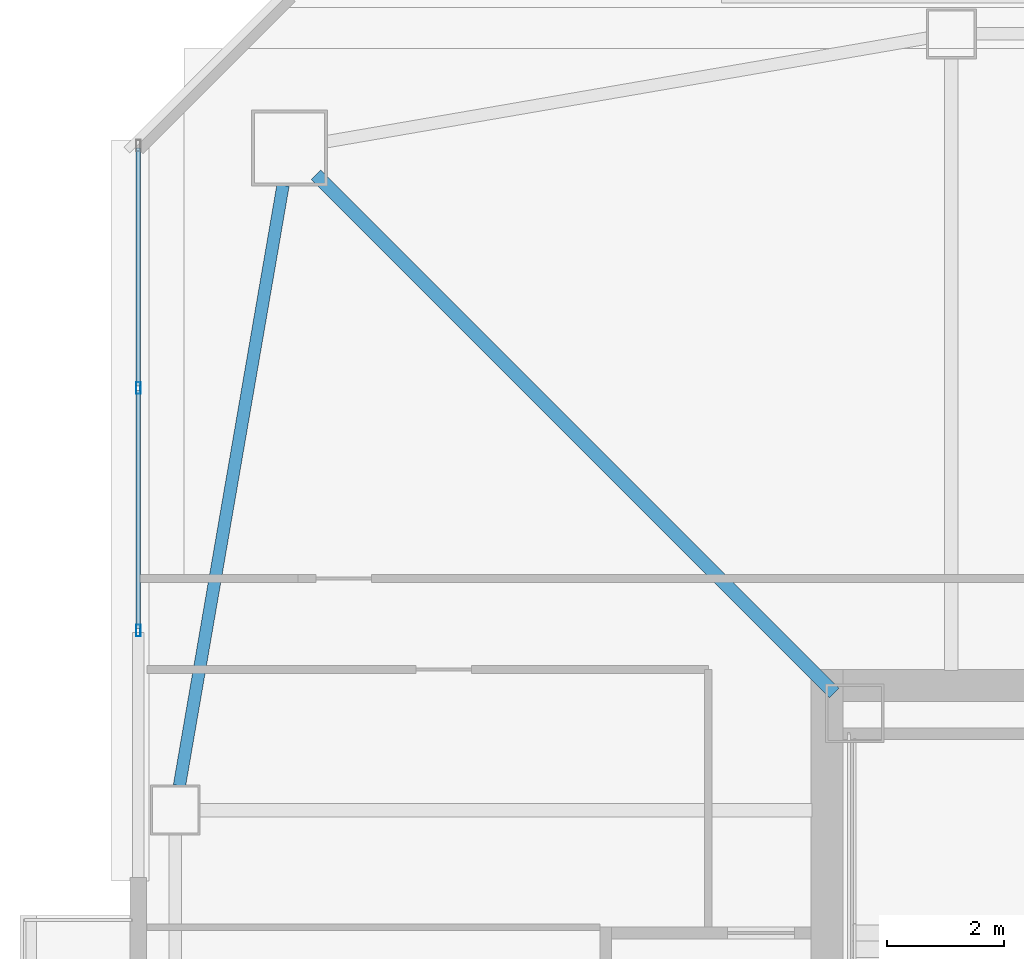
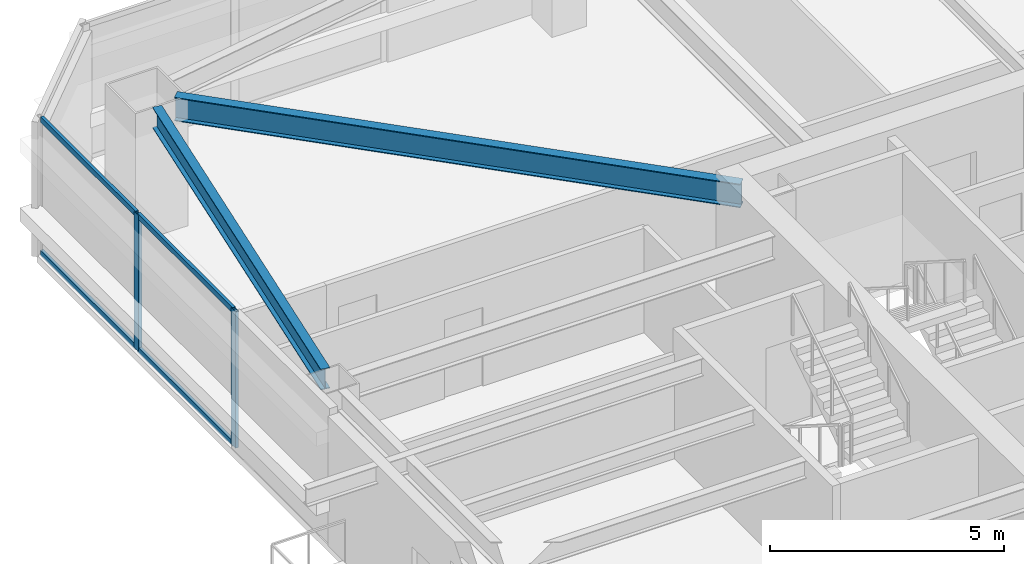
# One storey, part 11 of 44: 6 members, 2 beams, 1 element without a shape of its own.
"""IFC4 building model written with IfcOpenShell, lengths in metres."""

from ifc_helpers import new_model, si_unit, direction, frame, origin, origin_2d, place, context, subcontext, project, spatial, hollow_rectangle, i_section, extrude, material, material_profile, profile_set, type_object, element, aggregate, save


model = new_model("IFC4")

# Units and contexts
model_context = context("Model", 3, precision=1e-05, world=origin(), true_north=direction((0.0, 1.0)))
body_context = subcontext(model_context, "Body", "Model", "MODEL_VIEW")
ifc_project = project(units=[si_unit("LENGTHUNIT", "METRE"), si_unit("AREAUNIT", "SQUARE_METRE"), si_unit("VOLUMEUNIT", "CUBIC_METRE"), si_unit("PLANEANGLEUNIT", "RADIAN"), si_unit("MASSUNIT", "GRAM", prefix="KILO")], contexts=[model_context])

# Site, building, storey
site_placement = place(None, origin())
site = spatial("IfcSite", under=ifc_project, at=site_placement, CompositionType="ELEMENT")
building_placement = place(site_placement, origin())
building = spatial("IfcBuilding", under=site, at=building_placement, Name="Tashvorn Skyway Center", CompositionType="ELEMENT")
storey_placement = place(building_placement, frame((0.0, 0.0, 128.60009765625)))
storey = spatial("IfcBuildingStorey", under=building, at=storey_placement, Name="L34", CompositionType="ELEMENT", Elevation=128.60009765625)

# Beams
ifc_material_1 = material(Name="Steel ASTM A992 Grade 50", Category="steel")
ifc_material_profile_1 = material_profile(ifc_material_1, i_section(OverallWidth=0.22998046875, OverallDepth=0.616943359375, WebThickness=0.01318359375, FlangeThickness=0.022216796875, at=origin_2d()), Name="W24X94")
ifc_profile_set_1 = profile_set([ifc_material_profile_1], Name="Steel ASTM A992 Grade 50")
beam_type_1 = type_object("IfcBeamType", Name="BM-BEAM-W24X94", PredefinedType="BEAM", material=ifc_profile_set_1)
beam_1_placement = place(storey_placement, frame((25.756103515625, 48.243896484375, 3.0615234375), z_axis=(0.707106781187, -0.707106781187, 0.0), x_axis=(0.707106781187, 0.707106781187, 0.0)))
element("IfcBeam", 1, at=beam_1_placement, inside=storey, type_object=beam_type_1, Name="Tower 1 L34 Primary Floor Girder MC-NW", PredefinedType="BEAM", context=body_context, shape_type="SweptSolid", body=[
    extrude(i_section(OverallWidth=0.22998046875, OverallDepth=0.616943359375, WebThickness=0.01318359375, FlangeThickness=0.022216796875, at=origin_2d()), origin(), (0.0, 0.0, 1.0), 12.50732421875),
])
ifc_material_profile_2 = material_profile(ifc_material_1, i_section(OverallWidth=0.2109375, OverallDepth=0.5390625, WebThickness=0.01171875, FlangeThickness=0.018798828125, at=origin_2d()), Name="W21X73")
ifc_profile_set_2 = profile_set([ifc_material_profile_2], Name="Steel ASTM A992 Grade 50")
beam_type_2 = type_object("IfcBeamType", Name="BM-SPANDREL-W21X73", PredefinedType="SPANDREL", material=ifc_profile_set_2)
beam_2_placement = place(storey_placement, frame((25.1904296875, 48.064453125, 3.100341796875), z_axis=(-0.170067250846, -0.985432458462, 0.0), x_axis=(0.985432458462, -0.170067250846, 0.0)))
element("IfcBeam", 2, at=beam_2_placement, inside=storey, type_object=beam_type_2, Name="Tower 1 L34 Spandrel Beam 10", PredefinedType="SPANDREL", context=body_context, shape_type="SweptSolid", body=[
    extrude(i_section(OverallWidth=0.2109375, OverallDepth=0.5390625, WebThickness=0.01171875, FlangeThickness=0.018798828125, at=origin_2d()), origin(), (0.0, 0.0, 1.0), 10.402099609375),
])

# Curtain wall, members
ifc_material_2 = material(Name="Thermally broken bronze-anodized aluminium 6063-T6", Category="aluminium")
curtain_wall_type = type_object("IfcCurtainWallType", Name="CW-CW-Z3", PredefinedType="NOTDEFINED", material=ifc_material_2)
curtain_wall_placement = place(storey_placement, origin())
curtain_wall = element("IfcCurtainWall", 3, at=curtain_wall_placement, inside=storey, type_object=curtain_wall_type, Name="Tower 1 L34 West Curtain Wall R Glazing Group 1", PredefinedType="NOTDEFINED")
ifc_material_profile_3 = material_profile(ifc_material_2, hollow_rectangle(XDim=0.074951171875, YDim=0.199951171875, WallThickness=0.00439453125, at=origin_2d()), Name="ALU-MULL-75x200")
ifc_profile_set_3 = profile_set([ifc_material_profile_3], Name="Thermally broken bronze-anodized aluminium 6063-T6")
member_type_1 = type_object("IfcMemberType", Name="CWM-CW-Z3", PredefinedType="MULLION", material=ifc_profile_set_3)
member_1_placement = place(storey_placement, frame((22.719970703125, 40.464111328125, 0.0), z_axis=(0.0, 0.0, 1.0), x_axis=(-1.0, 0.0, 0.0)))
member_1 = element("IfcMember", 4, at=member_1_placement, type_object=member_type_1, Name="CW-Z3 mullion 1", PredefinedType="MULLION", context=body_context, shape_type="SweptSolid", body=[
    extrude(hollow_rectangle(XDim=0.074951171875, YDim=0.199951171875, WallThickness=0.00439453125, at=origin_2d()), origin(), (0.0, 0.0, 1.0), 3.5498046875),
])
member_2_placement = place(storey_placement, frame((22.719970703125, 44.603271484375, 0.0), z_axis=(0.0, 0.0, 1.0), x_axis=(-1.0, 0.0, 0.0)))
member_2 = element("IfcMember", 5, at=member_2_placement, type_object=member_type_1, Name="CW-Z3 mullion 2", PredefinedType="MULLION", context=body_context, shape_type="SweptSolid", body=[
    extrude(hollow_rectangle(XDim=0.074951171875, YDim=0.199951171875, WallThickness=0.00439453125, at=origin_2d()), origin(), (0.0, 0.0, 1.0), 3.5498046875),
])
ifc_material_profile_4 = material_profile(ifc_material_2, hollow_rectangle(XDim=0.074951171875, YDim=0.139892578125, WallThickness=0.004150390625, at=origin_2d()), Name="ALU-TRAN-75x140")
ifc_profile_set_4 = profile_set([ifc_material_profile_4], Name="Thermally broken bronze-anodized aluminium 6063-T6")
member_type_2 = type_object("IfcMemberType", Name="CWT-CW-Z3", PredefinedType="USERDEFINED", material=ifc_profile_set_4)
member_3_placement = place(storey_placement, frame((22.719970703125, 40.501708984375, 0.037353515625), z_axis=(0.0, 1.0, 0.0), x_axis=(-1.0, 0.0, 0.0)))
member_3 = element("IfcMember", 6, at=member_3_placement, type_object=member_type_2, Name="CW-Z3 transom 1.1", ObjectType="TRANSOM", PredefinedType="USERDEFINED", context=body_context, shape_type="SweptSolid", body=[
    extrude(hollow_rectangle(XDim=0.074951171875, YDim=0.139892578125, WallThickness=0.004150390625, at=origin_2d()), origin(), (0.0, 0.0, 1.0), 4.064208984375),
])
member_4_placement = place(storey_placement, frame((22.719970703125, 40.501708984375, 3.512451171875), z_axis=(0.0, 1.0, 0.0), x_axis=(-1.0, 0.0, 0.0)))
member_4 = element("IfcMember", 7, at=member_4_placement, type_object=member_type_2, Name="CW-Z3 transom 1.2", ObjectType="TRANSOM", PredefinedType="USERDEFINED", context=body_context, shape_type="SweptSolid", body=[
    extrude(hollow_rectangle(XDim=0.074951171875, YDim=0.139892578125, WallThickness=0.004150390625, at=origin_2d()), origin(), (0.0, 0.0, 1.0), 4.064208984375),
])
member_5_placement = place(storey_placement, frame((22.719970703125, 44.640869140625, 0.037353515625), z_axis=(0.0, 1.0, 0.0), x_axis=(-1.0, 0.0, 0.0)))
member_5 = element("IfcMember", 8, at=member_5_placement, type_object=member_type_2, Name="CW-Z3 transom 2.1", ObjectType="TRANSOM", PredefinedType="USERDEFINED", context=body_context, shape_type="SweptSolid", body=[
    extrude(hollow_rectangle(XDim=0.074951171875, YDim=0.139892578125, WallThickness=0.004150390625, at=origin_2d()), origin(), (0.0, 0.0, 1.0), 4.064208984375),
])
member_6_placement = place(storey_placement, frame((22.719970703125, 44.640869140625, 3.512451171875), z_axis=(0.0, 1.0, 0.0), x_axis=(-1.0, 0.0, 0.0)))
member_6 = element("IfcMember", 9, at=member_6_placement, type_object=member_type_2, Name="CW-Z3 transom 2.2", ObjectType="TRANSOM", PredefinedType="USERDEFINED", context=body_context, shape_type="SweptSolid", body=[
    extrude(hollow_rectangle(XDim=0.074951171875, YDim=0.139892578125, WallThickness=0.004150390625, at=origin_2d()), origin(), (0.0, 0.0, 1.0), 4.064208984375),
])
aggregate(curtain_wall, [member_1, member_2, member_3, member_4, member_5, member_6])

save(model, "model.ifc")
